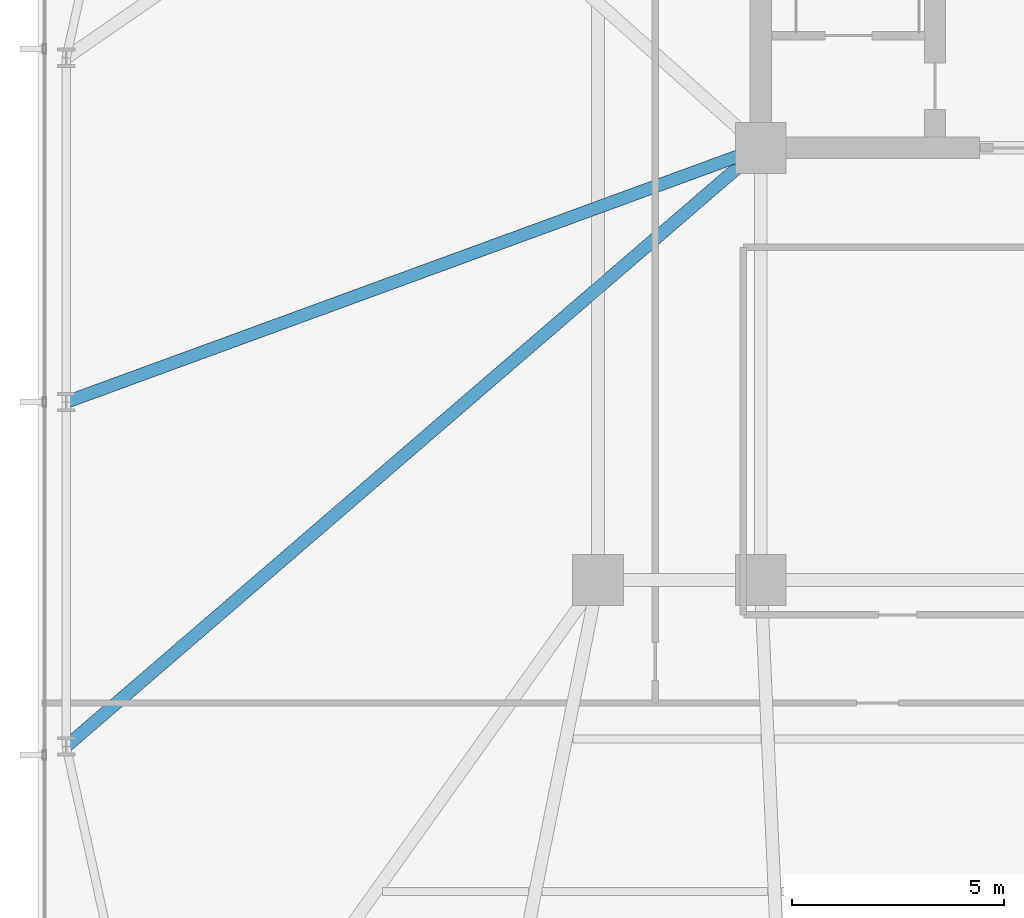
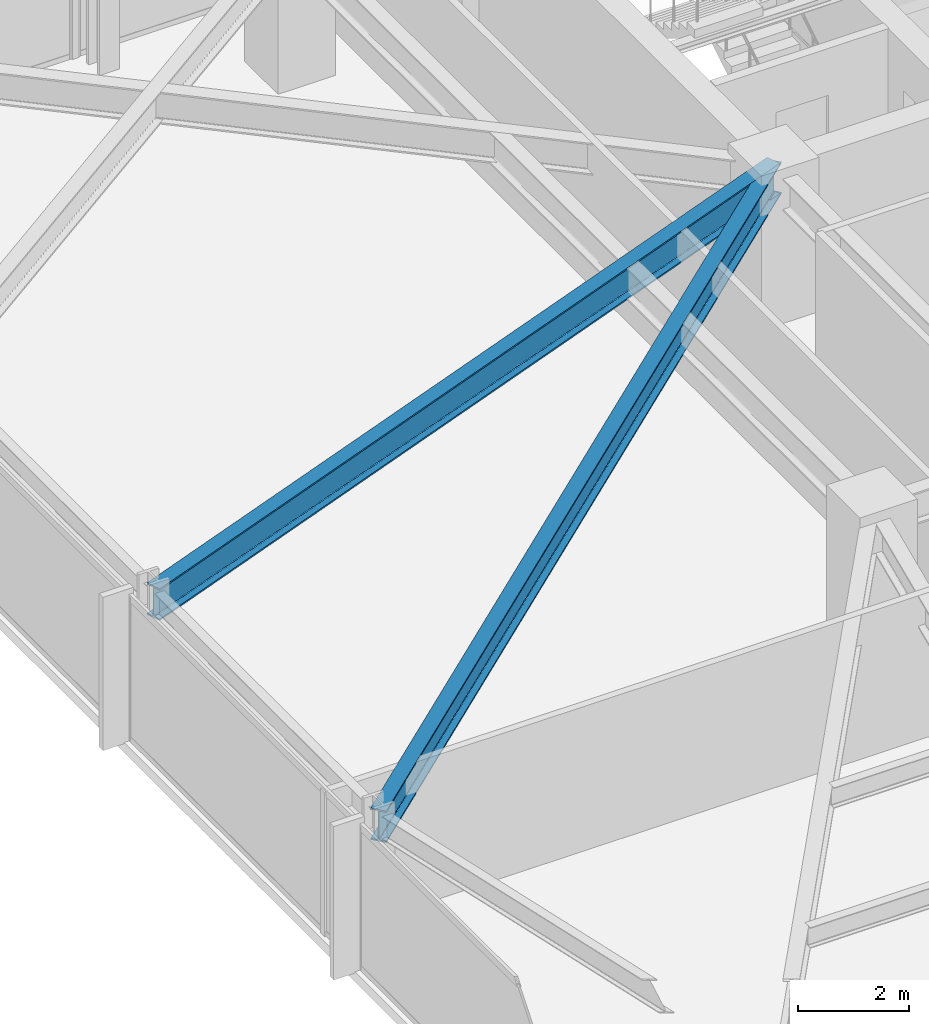
# One storey, part 8 of 33: 2 beams.
"""IFC4 building model written with IfcOpenShell, lengths in metres."""

from ifc_helpers import new_model, si_unit, direction, frame, origin, origin_2d, place, context, subcontext, project, spatial, i_section, extrude, material, material_profile, profile_set, type_object, element, save


model = new_model("IFC4")

# Units and contexts
model_context = context("Model", 3, precision=1e-05, world=origin(), true_north=direction((0.0, 1.0)))
body_context = subcontext(model_context, "Body", "Model", "MODEL_VIEW")
ifc_project = project(units=[si_unit("LENGTHUNIT", "METRE"), si_unit("AREAUNIT", "SQUARE_METRE"), si_unit("VOLUMEUNIT", "CUBIC_METRE"), si_unit("PLANEANGLEUNIT", "RADIAN"), si_unit("MASSUNIT", "GRAM", prefix="KILO")], contexts=[model_context])

# Site, building, storey
site_placement = place(None, origin())
site = spatial("IfcSite", under=ifc_project, at=site_placement, CompositionType="ELEMENT")
building_placement = place(site_placement, origin())
building = spatial("IfcBuilding", under=site, at=building_placement, Name="Yelkora Congress Tower", CompositionType="ELEMENT")
storey_placement = place(building_placement, frame((0.0, 0.0, 47.39990234375)))
storey = spatial("IfcBuildingStorey", under=building, at=storey_placement, Name="L11", CompositionType="ELEMENT", Elevation=47.39990234375)

# Beams
ifc_material = material(Name="Steel S355J2", Category="steel")
ifc_material_profile = material_profile(ifc_material, i_section(OverallWidth=0.300048828125, OverallDepth=0.699951171875, WebThickness=0.01708984375, FlangeThickness=0.031982421875, FilletRadius=0.027099609375, at=origin_2d()), Name="HEB 700")
ifc_profile_set = profile_set([ifc_material_profile], Name="Steel S355J2")
beam_type = type_object("IfcBeamType", Name="BM-GIRD-HEB700", PredefinedType="BEAM", material=ifc_profile_set)
beam_1_placement = place(storey_placement, frame((6.64990234375, 21.27490234375, 2.830078125), z_axis=(0.757511165967, 0.652822206604, 0.0), x_axis=(-0.652822206604, 0.757511165967, 0.0)))
element("IfcBeam", 1, at=beam_1_placement, inside=storey, type_object=beam_type, Name="L11 Primary Frame Girder W01", PredefinedType="BEAM", context=body_context, shape_type="SweptSolid", body=[
    extrude(i_section(OverallWidth=0.300048828125, OverallDepth=0.699951171875, WebThickness=0.01708984375, FlangeThickness=0.031982421875, FilletRadius=0.027099609375, at=origin_2d()), origin(), (0.0, 0.0, 1.0), 21.63671875),
])
beam_2_placement = place(storey_placement, frame((6.64990234375, 29.39990234375, 2.830078125), z_axis=(0.939056124561, 0.343763865064, 0.0), x_axis=(-0.343763865064, 0.939056124561, 0.0)))
element("IfcBeam", 2, at=beam_2_placement, inside=storey, type_object=beam_type, Name="L11 Primary Frame Girder W02", PredefinedType="BEAM", context=body_context, shape_type="SweptSolid", body=[
    extrude(i_section(OverallWidth=0.300048828125, OverallDepth=0.699951171875, WebThickness=0.01708984375, FlangeThickness=0.031982421875, FilletRadius=0.027099609375, at=origin_2d()), origin(), (0.0, 0.0, 1.0), 17.453857421875),
])

save(model, "model.ifc")
